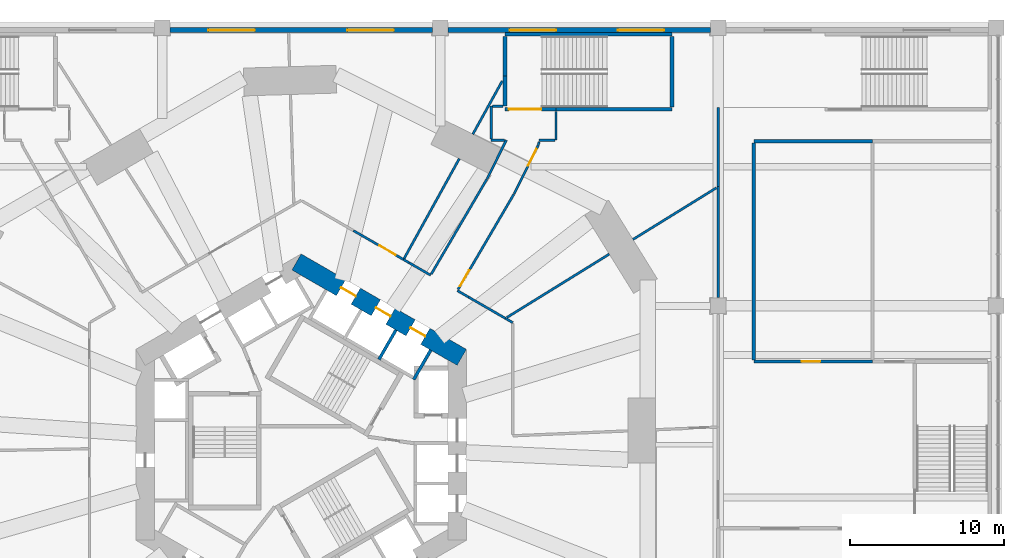
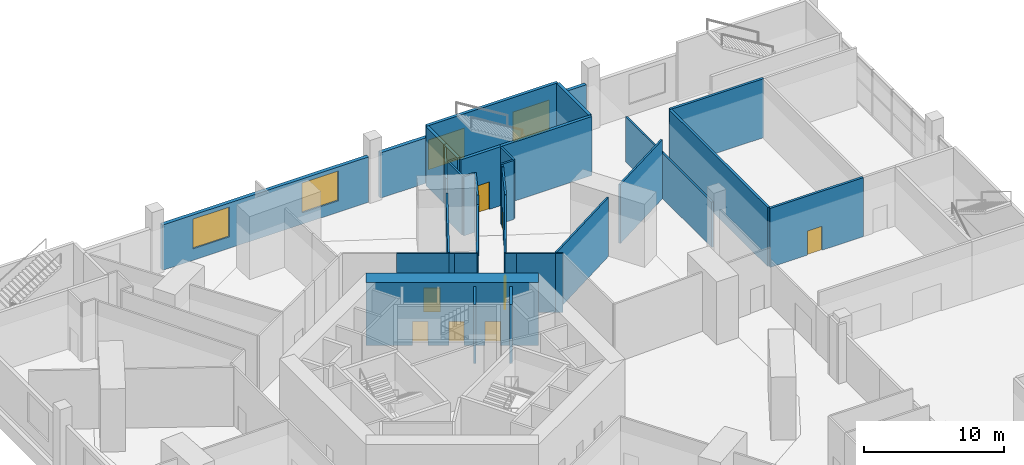
# One storey, part 9 of 16: 36 walls, 8 doors, 4 windows, 12 openings.
"""IFC4 building model written with IfcOpenShell, lengths in metres."""

from ifc_helpers import new_model, si_unit, direction, frame, frame_2d, origin, place, context, subcontext, project, spatial, rectangle, extrude, material, layer, layer_set, type_object, element, fill, save


model = new_model("IFC4")

# Units and contexts
model_context = context("Model", 3, precision=1e-05, world=origin(), true_north=direction((0.0, 1.0)))
body_context = subcontext(model_context, "Body", "Model", "MODEL_VIEW")
ifc_project = project(units=[si_unit("LENGTHUNIT", "METRE"), si_unit("AREAUNIT", "SQUARE_METRE"), si_unit("VOLUMEUNIT", "CUBIC_METRE"), si_unit("PLANEANGLEUNIT", "RADIAN"), si_unit("MASSUNIT", "GRAM", prefix="KILO")], contexts=[model_context])

# Site, building, storey
site_placement = place(None, origin())
site = spatial("IfcSite", under=ifc_project, at=site_placement, CompositionType="ELEMENT")
building_placement = place(site_placement, origin())
building = spatial("IfcBuilding", under=site, at=building_placement, Name="Vanh Sen Convention Tower", CompositionType="ELEMENT")
storey_placement = place(building_placement, frame((0.0, 0.0, 29.0)))
storey = spatial("IfcBuildingStorey", under=building, at=storey_placement, Name="L04", CompositionType="ELEMENT", Elevation=29.0)

# Wall, opening, door
ifc_material_1 = material(Name="Concrete C40/50", Category="concrete")
ifc_layer_1 = layer(ifc_material_1, 0.25)
ifc_layer_set_1 = layer_set([ifc_layer_1], Name="Concrete C40/50")
wall_type_1 = type_object("IfcWallType", Name="Concrete wall 250 REI 180", PredefinedType="SOLIDWALL", material=ifc_layer_set_1)
wall_1_placement = place(storey_placement, frame((16.5, 21.72509765625, 0.0), z_axis=(0.0, 0.0, 1.0), x_axis=(-1.0, 0.0, 0.0)))
wall_1 = element("IfcWall", 1, at=wall_1_placement, inside=storey, type_object=wall_type_1, Name="Fire-resisting wall L04-108", PredefinedType="SOLIDWALL", context=body_context, shape_type="SweptSolid", body=[
    extrude(rectangle(XDim=3.300048828125, YDim=0.25, at=frame_2d((1.64990234375, 0.0))), origin(), (0.0, 0.0, 1.0), 5.14990234375),
])
opening_1_placement = place(wall_1_placement, frame((0.949951171875, 0.0, 0.0)))
opening_1 = element("IfcOpeningElement", 2, at=opening_1_placement, cuts=wall_1, Name="Opening D04125", PredefinedType="OPENING", context=body_context, shape_type="SweptSolid", body=[
    extrude(rectangle(XDim=2.10009765625, YDim=2.39990234375, at=frame_2d((1.050048828125, 1.199951171875))), frame((0.0, 0.135009765625, 0.0), z_axis=(0.0, -1.0, 0.0), x_axis=(1.0, 0.0, 0.0)), (0.0, 0.0, 1.0), 0.27001953125),
])
ifc_material_2 = material(Name="Steel S355", Category="steel")
door_type_1 = type_object("IfcDoorType", Name="Stair door 2100 EI 60", OperationType="DOUBLE_DOOR_SINGLE_SWING", PredefinedType="DOOR", material=ifc_material_2)
door_1_placement = place(opening_1_placement, frame((2.10009765625, 0.0, 0.0), z_axis=(0.0, 0.0, 1.0), x_axis=(-1.0, 0.0, 0.0)))
door_1 = element("IfcDoor", 3, at=door_1_placement, inside=storey, type_object=door_type_1, Name="Stair door D04125", OperationType="DOUBLE_DOOR_SINGLE_SWING", OverallHeight=2.39990234375, OverallWidth=2.10009765625, PredefinedType="DOOR", context=body_context, shape_type="SweptSolid", body=[
    extrude(rectangle(XDim=2.10009765625, YDim=2.39990234375, at=frame_2d((1.050048828125, 1.199951171875))), frame((0.0, 0.02490234375, 0.0), z_axis=(0.0, -1.0, 0.0), x_axis=(1.0, 0.0, 0.0)), (0.0, 0.0, 1.0), 0.050048828125),
])
fill(opening_1, door_1)

# Walls
wall_2_placement = place(storey_placement, frame((24.0, 21.72509765625, 0.0), z_axis=(0.0, 0.0, 1.0), x_axis=(-1.0, 0.0, 0.0)))
element("IfcWall", 4, at=wall_2_placement, inside=storey, type_object=wall_type_1, Name="Fire-resisting wall L04-109", PredefinedType="SOLIDWALL", context=body_context, shape_type="SweptSolid", body=[
    extrude(rectangle(XDim=7.5, YDim=0.25, at=frame_2d((3.75, 0.0))), origin(), (0.0, 0.0, 1.0), 5.14990234375),
])
wall_3_placement = place(storey_placement, frame((13.199951171875, 21.925048828125, 0.0), z_axis=(0.0, 0.0, 1.0), x_axis=(0.0, 1.0, 0.0)))
element("IfcWall", 5, at=wall_3_placement, inside=storey, type_object=wall_type_1, Name="Fire-resisting wall L04-114", PredefinedType="SOLIDWALL", context=body_context, shape_type="SweptSolid", body=[
    extrude(rectangle(XDim=1.953369140625, YDim=0.25, at=frame_2d((0.9765625, 0.0))), origin(), (0.0, 0.0, 1.0), 5.14990234375),
])
wall_4_placement = place(storey_placement, frame((13.199951171875, 23.87841796875, 0.0), z_axis=(0.0, 0.0, 1.0), x_axis=(0.0, 1.0, 0.0)))
element("IfcWall", 6, at=wall_4_placement, inside=storey, type_object=wall_type_1, Name="Fire-resisting wall L04-115", PredefinedType="SOLIDWALL", context=body_context, shape_type="SweptSolid", body=[
    extrude(rectangle(XDim=2.5615234375, YDim=0.25, at=frame_2d((1.28076171875, 0.0))), origin(), (0.0, 0.0, 1.0), 5.14990234375),
])
wall_5_placement = place(storey_placement, frame((24.0, 26.43994140625, 0.0), z_axis=(0.0, 0.0, 1.0), x_axis=(0.0, -1.0, 0.0)))
element("IfcWall", 7, at=wall_5_placement, inside=storey, type_object=wall_type_1, Name="Fire-resisting wall L04-119", PredefinedType="SOLIDWALL", context=body_context, shape_type="SweptSolid", body=[
    extrude(rectangle(XDim=4.574951171875, YDim=0.25, at=frame_2d((2.28759765625, 0.0))), origin(), (0.0, 0.0, 1.0), 5.14990234375),
])
wall_6_placement = place(storey_placement, frame((24.0, 26.574951171875, 0.0), z_axis=(0.0, 0.0, 1.0), x_axis=(-1.0, 0.0, 0.0)))
element("IfcWall", 8, at=wall_6_placement, inside=storey, type_object=wall_type_1, Name="Stair enclosure wall PS4 L04", PredefinedType="SOLIDWALL", context=body_context, shape_type="SweptSolid", body=[
    extrude(rectangle(XDim=10.800048828125, YDim=0.25, at=frame_2d((5.39990234375, 0.0))), origin(), (0.0, 0.0, 1.0), 5.14990234375),
])

# Wall, openings, doors
ifc_material_3 = material(Name="Concrete C80/95", Category="concrete")
ifc_layer_2 = layer(ifc_material_3, 1.199951171875)
ifc_layer_set_2 = layer_set([ifc_layer_2], Name="Concrete C80/95")
wall_type_2 = type_object("IfcWallType", Name="Core outer wall 1200 C80/95", PredefinedType="SHEAR", material=ifc_layer_set_2)
wall_7_placement = place(storey_placement, frame((10.39990234375, 5.657958984375, 0.0), z_axis=(0.0, 0.0, 1.0), x_axis=(-0.866021384402, 0.500006961711, 0.0)))
wall_7 = element("IfcWall", 9, at=wall_7_placement, inside=storey, type_object=wall_type_2, Name="Core wall face NE L04", PredefinedType="SHEAR", context=body_context, shape_type="SweptSolid", body=[
    extrude(rectangle(XDim=12.355224609375, YDim=1.199951171875, at=frame_2d((6.177734375, 0.0))), origin(), (0.0, 0.0, 1.0), 5.5),
])
opening_2_placement = place(wall_7_placement, frame((2.727783203125, 0.0, 0.0)))
opening_2 = element("IfcOpeningElement", 10, at=opening_2_placement, cuts=wall_7, Name="Opening LD-LR3", PredefinedType="OPENING", context=body_context, shape_type="SweptSolid", body=[
    extrude(rectangle(XDim=1.10009765625, YDim=2.10009765625, at=frame_2d((0.550048828125, 1.050048828125))), frame((0.0, 0.60986328125, 0.0), z_axis=(0.0, -1.0, 0.0), x_axis=(1.0, 0.0, 0.0)), (0.0, 0.0, 1.0), 1.219970703125),
])
opening_3_placement = place(wall_7_placement, frame((5.32763671875, 0.0, 0.0)))
opening_3 = element("IfcOpeningElement", 11, at=opening_3_placement, cuts=wall_7, Name="Opening LD-LR4", PredefinedType="OPENING", context=body_context, shape_type="SweptSolid", body=[
    extrude(rectangle(XDim=1.10009765625, YDim=2.10009765625, at=frame_2d((0.550048828125, 1.050048828125))), frame((0.0, 0.60986328125, 0.0), z_axis=(0.0, -1.0, 0.0), x_axis=(1.0, 0.0, 0.0)), (0.0, 0.0, 1.0), 1.219970703125),
])
opening_4_placement = place(wall_7_placement, frame((7.927734375, 0.0, 0.0)))
opening_4 = element("IfcOpeningElement", 12, at=opening_4_placement, cuts=wall_7, Name="Opening LD-LR5", PredefinedType="OPENING", context=body_context, shape_type="SweptSolid", body=[
    extrude(rectangle(XDim=1.10009765625, YDim=2.10009765625, at=frame_2d((0.550048828125, 1.050048828125))), frame((0.0, 0.60986328125, 0.0), z_axis=(0.0, -1.0, 0.0), x_axis=(1.0, 0.0, 0.0)), (0.0, 0.0, 1.0), 1.219970703125),
])
ifc_material_4 = material(Name="Stainless steel", Category="steel")
door_type_2 = type_object("IfcDoorType", Name="Lift landing door 1100", OperationType="DOUBLE_DOOR_SLIDING", PredefinedType="DOOR", material=ifc_material_4)
door_2_placement = place(opening_2_placement, origin())
door_2 = element("IfcDoor", 13, at=door_2_placement, inside=storey, type_object=door_type_2, Name="Lift LR3 landing door LD-LR3", OperationType="DOUBLE_DOOR_SLIDING", OverallHeight=2.10009765625, OverallWidth=1.10009765625, PredefinedType="DOOR", context=body_context, shape_type="SweptSolid", body=[
    extrude(rectangle(XDim=1.10009765625, YDim=2.10009765625, at=frame_2d((0.550048828125, 1.050048828125))), frame((0.0, 0.02490234375, 0.0), z_axis=(0.0, -1.0, 0.0), x_axis=(1.0, 0.0, 0.0)), (0.0, 0.0, 1.0), 0.050048828125),
])
fill(opening_2, door_2)
door_3_placement = place(opening_3_placement, origin())
door_3 = element("IfcDoor", 14, at=door_3_placement, inside=storey, type_object=door_type_2, Name="Lift LR4 landing door LD-LR4", OperationType="DOUBLE_DOOR_SLIDING", OverallHeight=2.10009765625, OverallWidth=1.10009765625, PredefinedType="DOOR", context=body_context, shape_type="SweptSolid", body=[
    extrude(rectangle(XDim=1.10009765625, YDim=2.10009765625, at=frame_2d((0.550048828125, 1.050048828125))), frame((0.0, 0.02490234375, 0.0), z_axis=(0.0, -1.0, 0.0), x_axis=(1.0, 0.0, 0.0)), (0.0, 0.0, 1.0), 0.050048828125),
])
fill(opening_3, door_3)
door_4_placement = place(opening_4_placement, origin())
door_4 = element("IfcDoor", 15, at=door_4_placement, inside=storey, type_object=door_type_2, Name="Lift LR5 landing door LD-LR5", OperationType="DOUBLE_DOOR_SLIDING", OverallHeight=2.10009765625, OverallWidth=1.10009765625, PredefinedType="DOOR", context=body_context, shape_type="SweptSolid", body=[
    extrude(rectangle(XDim=1.10009765625, YDim=2.10009765625, at=frame_2d((0.550048828125, 1.050048828125))), frame((0.0, 0.02490234375, 0.0), z_axis=(0.0, -1.0, 0.0), x_axis=(1.0, 0.0, 0.0)), (0.0, 0.0, 1.0), 0.050048828125),
])
fill(opening_4, door_4)

# Walls
ifc_layer_3 = layer(ifc_material_1, 0.199951171875)
ifc_layer_set_3 = layer_set([ifc_layer_3], Name="Concrete C40/50")
wall_type_3 = type_object("IfcWallType", Name="Lift shaft wall 200", PredefinedType="PARTITIONING", material=ifc_layer_set_3)
for number, where, z_axis, x_axis, name in (
    (16, (7.287353515625, 4.221923828125, 0.0), (0.0, 0.0, 1.0), (0.499946605688, 0.86605622881, 0.0), "Lift shaft wall L04"),
    (17, (5.03564453125, 5.52197265625, 0.0), (0.0, 0.0, 1.0), (0.499946605688, 0.86605622881, 0.0), "Lift shaft wall L04"),
):
    element("IfcWall", number, at=place(storey_placement, frame(where, z_axis=z_axis, x_axis=x_axis)), inside=storey, type_object=wall_type_3, Name=name, PredefinedType="PARTITIONING", context=body_context, shape_type="SweptSolid", body=[
        extrude(rectangle(XDim=2.199951171875, YDim=0.199951171875, at=frame_2d((1.10009765625, 0.0))), origin(), (0.0, 0.0, 1.0), 5.14990234375),
    ])
ifc_material_5 = material(Name="Acoustic operable panels on an overhead track", Category="gypsum")
ifc_layer_4 = layer(ifc_material_5, 0.14990234375)
ifc_layer_set_4 = layer_set([ifc_layer_4], Name="Acoustic operable panels on an overhead track")
wall_type_4 = type_object("IfcWallType", Name="Operable partition 150 EI 60", PredefinedType="MOVABLE", material=ifc_layer_set_4)
wall_8_placement = place(storey_placement, frame((19.948974609375, 12.344970703125, 0.0), z_axis=(0.0, 0.0, 1.0), x_axis=(-0.850341306025, -0.526231568102, 0.0)))
element("IfcWall", 18, at=wall_8_placement, inside=storey, type_object=wall_type_4, Name="Operable partition L04-077", PredefinedType="MOVABLE", context=body_context, shape_type="SweptSolid", body=[
    extrude(rectangle(XDim=7.787353515625, YDim=0.14990234375, at=frame_2d((3.8935546875, 0.0))), origin(), (0.0, 0.0, 1.0), 5.14990234375),
])
ifc_material_6 = material(Name="Gypsum board on steel studs", Category="steel")
ifc_layer_5 = layer(ifc_material_6, 0.14990234375)
ifc_layer_set_5 = layer_set([ifc_layer_5], Name="Gypsum board on steel studs")
wall_type_5 = type_object("IfcWallType", Name="Partition 150 EI 60", PredefinedType="PARTITIONING", material=ifc_layer_set_5)
wall_9_placement = place(storey_placement, frame((13.699951171875, 7.909423828125, 0.0), z_axis=(0.0, 0.0, 1.0), x_axis=(-0.865629350875, 0.50068535719, 0.0)))
element("IfcWall", 19, at=wall_9_placement, inside=storey, type_object=wall_type_5, Name="Partition L04-062", PredefinedType="PARTITIONING", context=body_context, shape_type="SweptSolid", body=[
    extrude(rectangle(XDim=0.548583984375, YDim=0.14990234375, at=frame_2d((0.2744140625, 0.0))), origin(), (0.0, 0.0, 1.0), 5.14990234375),
])
wall_10_placement = place(storey_placement, frame((27.0, 9.550048828125, 0.0), z_axis=(0.0, 0.0, 1.0), x_axis=(0.0, 1.0, 0.0)))
element("IfcWall", 20, at=wall_10_placement, inside=storey, type_object=wall_type_5, Name="Partition L04-065", PredefinedType="PARTITIONING", context=body_context, shape_type="SweptSolid", body=[
    extrude(rectangle(XDim=7.157958984375, YDim=0.14990234375, at=frame_2d((3.5791015625, 0.0))), origin(), (0.0, 0.0, 1.0), 3.949951171875),
])
wall_11_placement = place(storey_placement, frame((10.83349609375, 9.564453125, 0.0), z_axis=(0.0, 0.0, 1.0), x_axis=(0.866091368387, -0.499885728548, 0.0)))
element("IfcWall", 21, at=wall_11_placement, inside=storey, type_object=wall_type_5, Name="Partition L04-066", PredefinedType="PARTITIONING", context=body_context, shape_type="SweptSolid", body=[
    extrude(rectangle(XDim=2.761474609375, YDim=0.14990234375, at=frame_2d((1.380859375, 0.0))), origin(), (0.0, 0.0, 1.0), 5.14990234375),
])
wall_12_placement = place(storey_placement, frame((10.113525390625, 9.98046875, 0.0), z_axis=(0.0, 0.0, 1.0), x_axis=(0.865848115047, -0.500306947453, 0.0)))
element("IfcWall", 22, at=wall_12_placement, inside=storey, type_object=wall_type_5, Name="Partition L04-068", PredefinedType="PARTITIONING", context=body_context, shape_type="SweptSolid", body=[
    extrude(rectangle(XDim=0.83154296875, YDim=0.14990234375, at=frame_2d((0.415771484375, 0.0))), origin(), (0.0, 0.0, 1.0), 5.14990234375),
])
wall_13_placement = place(storey_placement, frame((8.421875, 11.049560546875, 0.0), z_axis=(0.0, 0.0, 1.0), x_axis=(0.50561651199, 0.862758333952, 0.0)))
element("IfcWall", 23, at=wall_13_placement, inside=storey, type_object=wall_type_5, Name="Partition L04-069", PredefinedType="PARTITIONING", context=body_context, shape_type="SweptSolid", body=[
    extrude(rectangle(XDim=7.1181640625, YDim=0.14990234375, at=frame_2d((3.55908203125, 0.0))), origin(), (0.0, 0.0, 1.0), 4.35009765625),
])
wall_14_placement = place(storey_placement, frame((6.9951171875, 11.78076171875, 0.0), z_axis=(0.0, 0.0, 1.0), x_axis=(0.866076391369, -0.499911676512, 0.0)))
element("IfcWall", 24, at=wall_14_placement, inside=storey, type_object=wall_type_5, Name="Partition L04-072", PredefinedType="PARTITIONING", context=body_context, shape_type="SweptSolid", body=[
    extrude(rectangle(XDim=1.600830078125, YDim=0.14990234375, at=frame_2d((0.80029296875, 0.0))), origin(), (0.0, 0.0, 1.0), 5.14990234375),
])
wall_15_placement = place(storey_placement, frame((6.9951171875, 11.78076171875, 0.0), z_axis=(0.0, 0.0, 1.0), x_axis=(-0.866281716711, 0.49955578997, 0.0)))
element("IfcWall", 25, at=wall_15_placement, inside=storey, type_object=wall_type_5, Name="Partition L04-073", PredefinedType="PARTITIONING", context=body_context, shape_type="SweptSolid", body=[
    extrude(rectangle(XDim=0.4228515625, YDim=0.14990234375, at=frame_2d((0.21142578125, 0.0))), origin(), (0.0, 0.0, 1.0), 5.14990234375),
])

# Wall, opening, door
wall_16_placement = place(storey_placement, frame((6.62890625, 11.991943359375, 0.0), z_axis=(0.0, 0.0, 1.0), x_axis=(-0.86599558016, 0.500051652475, 0.0)))
wall_16 = element("IfcWall", 26, at=wall_16_placement, inside=storey, type_object=wall_type_5, Name="Partition L04-075", PredefinedType="PARTITIONING", context=body_context, shape_type="SweptSolid", body=[
    extrude(rectangle(XDim=3.74462890625, YDim=0.14990234375, at=frame_2d((1.872314453125, 0.0))), origin(), (0.0, 0.0, 1.0), 5.14990234375),
])
opening_5_placement = place(wall_16_placement, frame((0.60009765625, 0.0, 0.0)))
opening_5 = element("IfcOpeningElement", 27, at=opening_5_placement, cuts=wall_16, Name="Opening D04120", PredefinedType="OPENING", context=body_context, shape_type="SweptSolid", body=[
    extrude(rectangle(XDim=1.199951171875, YDim=2.10009765625, at=frame_2d((0.60009765625, 1.050048828125))), frame((0.0, 0.0849609375, 0.0), z_axis=(0.0, -1.0, 0.0), x_axis=(1.0, 0.0, 0.0)), (0.0, 0.0, 1.0), 0.169921875),
])
ifc_material_7 = material(Name="Timber door in steel frame", Category="steel")
door_type_3 = type_object("IfcDoorType", Name="Room door 1200 EI 30", OperationType="SINGLE_SWING_LEFT", PredefinedType="DOOR", material=ifc_material_7)
door_5_placement = place(opening_5_placement, origin())
door_5 = element("IfcDoor", 28, at=door_5_placement, inside=storey, type_object=door_type_3, Name="Room door D04120", OperationType="SINGLE_SWING_LEFT", OverallHeight=2.10009765625, OverallWidth=1.199951171875, PredefinedType="DOOR", context=body_context, shape_type="SweptSolid", body=[
    extrude(rectangle(XDim=1.199951171875, YDim=2.10009765625, at=frame_2d((0.60009765625, 1.050048828125))), frame((0.0, 0.02490234375, 0.0), z_axis=(0.0, -1.0, 0.0), x_axis=(1.0, 0.0, 0.0)), (0.0, 0.0, 1.0), 0.050048828125),
])
fill(opening_5, door_5)

# Walls
wall_17_placement = place(storey_placement, frame((6.667724609375, 12.06201171875, 0.0), z_axis=(0.0, 0.0, 1.0), x_axis=(0.483795376692, 0.875181143245, 0.0)))
element("IfcWall", 29, at=wall_17_placement, inside=storey, type_object=wall_type_5, Name="Partition L04-076", PredefinedType="PARTITIONING", context=body_context, shape_type="SweptSolid", body=[
    extrude(rectangle(XDim=7.386962890625, YDim=0.14990234375, at=frame_2d((3.693359375, 0.0))), origin(), (0.0, 0.0, 1.0), 5.14990234375),
])
wall_18_placement = place(storey_placement, frame((21.4794921875, 13.2919921875, 0.0), z_axis=(0.0, 0.0, 1.0), x_axis=(0.850365065786, 0.5261931726, 0.0)))
element("IfcWall", 30, at=wall_18_placement, inside=storey, type_object=wall_type_5, Name="Partition L04-078", PredefinedType="PARTITIONING", context=body_context, shape_type="SweptSolid", body=[
    extrude(rectangle(XDim=6.351806640625, YDim=0.14990234375, at=frame_2d((3.17578125, 0.0))), origin(), (0.0, 0.0, 1.0), 5.14990234375),
])

# Wall, opening, door
wall_19_placement = place(storey_placement, frame((13.77197265625, 16.22412109375, 0.0), z_axis=(0.0, 0.0, 1.0), x_axis=(-0.505547889018, -0.862798546539, 0.0)))
wall_19 = element("IfcWall", 31, at=wall_19_placement, inside=storey, type_object=wall_type_5, Name="Partition L04-084", PredefinedType="PARTITIONING", context=body_context, shape_type="SweptSolid", body=[
    extrude(rectangle(XDim=7.156494140625, YDim=0.14990234375, at=frame_2d((3.578125, 0.0))), origin(), (0.0, 0.0, 1.0), 5.14990234375),
])
opening_6_placement = place(wall_19_placement, frame((5.706298828125, 0.0, 0.0)))
opening_6 = element("IfcOpeningElement", 32, at=opening_6_placement, cuts=wall_19, Name="Opening D04121", PredefinedType="OPENING", context=body_context, shape_type="SweptSolid", body=[
    extrude(rectangle(XDim=1.199951171875, YDim=2.10009765625, at=frame_2d((0.60009765625, 1.050048828125))), frame((0.0, 0.0849609375, 0.0), z_axis=(0.0, -1.0, 0.0), x_axis=(1.0, 0.0, 0.0)), (0.0, 0.0, 1.0), 0.169921875),
])
door_6_placement = place(opening_6_placement, origin())
door_6 = element("IfcDoor", 33, at=door_6_placement, inside=storey, type_object=door_type_3, Name="Room door D04121", OperationType="SINGLE_SWING_LEFT", OverallHeight=2.10009765625, OverallWidth=1.199951171875, PredefinedType="DOOR", context=body_context, shape_type="SweptSolid", body=[
    extrude(rectangle(XDim=1.199951171875, YDim=2.10009765625, at=frame_2d((0.60009765625, 1.050048828125))), frame((0.0, 0.02490234375, 0.0), z_axis=(0.0, -1.0, 0.0), x_axis=(1.0, 0.0, 0.0)), (0.0, 0.0, 1.0), 0.050048828125),
])
fill(opening_6, door_6)

# Walls
wall_20_placement = place(storey_placement, frame((27.0, 16.7080078125, 0.0), z_axis=(0.0, 0.0, 1.0), x_axis=(0.0, 1.0, 0.0)))
element("IfcWall", 34, at=wall_20_placement, inside=storey, type_object=wall_type_5, Name="Partition L04-085", PredefinedType="PARTITIONING", context=body_context, shape_type="SweptSolid", body=[
    extrude(rectangle(XDim=5.14208984375, YDim=0.14990234375, at=frame_2d((2.571044921875, 0.0))), origin(), (0.0, 0.0, 1.0), 3.949951171875),
])
wall_21_placement = place(storey_placement, frame((12.030029296875, 17.208984375, 0.0), z_axis=(0.0, 0.0, 1.0), x_axis=(0.445753790741, 0.89515560549, 0.0)))
element("IfcWall", 35, at=wall_21_placement, inside=storey, type_object=wall_type_5, Name="Partition L04-086", PredefinedType="PARTITIONING", context=body_context, shape_type="SweptSolid", body=[
    extrude(rectangle(XDim=2.810791015625, YDim=0.14990234375, at=frame_2d((1.4052734375, 0.0))), origin(), (0.0, 0.0, 1.0), 5.14990234375),
])

# Wall, opening, door
wall_22_placement = place(storey_placement, frame((15.338134765625, 19.364990234375, 0.0), z_axis=(0.0, 0.0, 1.0), x_axis=(-0.44583629063, -0.895114518906, 0.0)))
wall_22 = element("IfcWall", 36, at=wall_22_placement, inside=storey, type_object=wall_type_5, Name="Partition L04-090", PredefinedType="PARTITIONING", context=body_context, shape_type="SweptSolid", body=[
    extrude(rectangle(XDim=3.4755859375, YDim=0.14990234375, at=frame_2d((1.73779296875, 0.0))), origin(), (0.0, 0.0, 1.0), 5.14990234375),
])
opening_7_placement = place(wall_22_placement, frame((0.25, 0.0, 0.0)))
opening_7 = element("IfcOpeningElement", 37, at=opening_7_placement, cuts=wall_22, Name="Opening D04122", PredefinedType="OPENING", context=body_context, shape_type="SweptSolid", body=[
    extrude(rectangle(XDim=1.199951171875, YDim=2.10009765625, at=frame_2d((0.60009765625, 1.050048828125))), frame((0.0, 0.0849609375, 0.0), z_axis=(0.0, -1.0, 0.0), x_axis=(1.0, 0.0, 0.0)), (0.0, 0.0, 1.0), 0.169921875),
])
door_7_placement = place(opening_7_placement, origin())
door_7 = element("IfcDoor", 38, at=door_7_placement, inside=storey, type_object=door_type_3, Name="Room door D04122", OperationType="SINGLE_SWING_LEFT", OverallHeight=2.10009765625, OverallWidth=1.199951171875, PredefinedType="DOOR", context=body_context, shape_type="SweptSolid", body=[
    extrude(rectangle(XDim=1.199951171875, YDim=2.10009765625, at=frame_2d((0.60009765625, 1.050048828125))), frame((0.0, 0.02490234375, 0.0), z_axis=(0.0, -1.0, 0.0), x_axis=(1.0, 0.0, 0.0)), (0.0, 0.0, 1.0), 0.050048828125),
])
fill(opening_7, door_7)

# Walls
wall_23_placement = place(storey_placement, frame((15.39990234375, 19.60888671875, 0.0), z_axis=(0.0, 0.0, 1.0), x_axis=(-0.228393975948, -0.973568791484, 0.0)))
element("IfcWall", 39, at=wall_23_placement, inside=storey, type_object=wall_type_5, Name="Partition L04-094", PredefinedType="PARTITIONING", context=body_context, shape_type="SweptSolid", body=[
    extrude(rectangle(XDim=0.23193359375, YDim=0.14990234375, at=frame_2d((0.115966796875, 0.0))), origin(), (0.0, 0.0, 1.0), 5.14990234375),
])
wall_24_placement = place(storey_placement, frame((13.1630859375, 19.72509765625, 0.0), z_axis=(0.0, 0.0, 1.0), x_axis=(-1.0, 0.0, 0.0)))
element("IfcWall", 40, at=wall_24_placement, inside=storey, type_object=wall_type_5, Name="Partition L04-100", PredefinedType="PARTITIONING", context=body_context, shape_type="SweptSolid", body=[
    extrude(rectangle(XDim=0.863037109375, YDim=0.14990234375, at=frame_2d((0.431640625, 0.0))), origin(), (0.0, 0.0, 1.0), 5.14990234375),
])
wall_25_placement = place(storey_placement, frame((16.419921875, 19.72509765625, 0.0), z_axis=(0.0, 0.0, 1.0), x_axis=(-1.0, 0.0, 0.0)))
element("IfcWall", 41, at=wall_25_placement, inside=storey, type_object=wall_type_5, Name="Partition L04-101", PredefinedType="PARTITIONING", context=body_context, shape_type="SweptSolid", body=[
    extrude(rectangle(XDim=1.02001953125, YDim=0.14990234375, at=frame_2d((0.510009765625, 0.0))), origin(), (0.0, 0.0, 1.0), 5.14990234375),
])
wall_26_placement = place(storey_placement, frame((12.300048828125, 19.804931640625, 0.0), z_axis=(0.0, 0.0, 1.0), x_axis=(0.0, 1.0, 0.0)))
element("IfcWall", 42, at=wall_26_placement, inside=storey, type_object=wall_type_5, Name="Partition L04-103", PredefinedType="PARTITIONING", context=body_context, shape_type="SweptSolid", body=[
    extrude(rectangle(XDim=2.1201171875, YDim=0.14990234375, at=frame_2d((1.06005859375, 0.0))), origin(), (0.0, 0.0, 1.0), 5.14990234375),
])
wall_27_placement = place(storey_placement, frame((11.113037109375, 20.103515625, 0.0), z_axis=(0.0, 0.0, 1.0), x_axis=(0.483823742959, 0.875165461927, 0.0)))
element("IfcWall", 43, at=wall_27_placement, inside=storey, type_object=wall_type_5, Name="Partition L04-104", PredefinedType="PARTITIONING", context=body_context, shape_type="SweptSolid", body=[
    extrude(rectangle(XDim=3.933349609375, YDim=0.14990234375, at=frame_2d((1.966796875, 0.0))), origin(), (0.0, 0.0, 1.0), 5.14990234375),
])
wall_28_placement = place(storey_placement, frame((16.5, 21.5849609375, 0.0), z_axis=(0.0, 0.0, 1.0), x_axis=(0.0, -1.0, 0.0)))
element("IfcWall", 44, at=wall_28_placement, inside=storey, type_object=wall_type_5, Name="Partition L04-105", PredefinedType="PARTITIONING", context=body_context, shape_type="SweptSolid", body=[
    extrude(rectangle(XDim=1.85986328125, YDim=0.14990234375, at=frame_2d((0.929931640625, 0.0))), origin(), (0.0, 0.0, 1.0), 5.14990234375),
])
wall_29_placement = place(storey_placement, frame((12.3798828125, 21.925048828125, 0.0), z_axis=(0.0, 0.0, 1.0), x_axis=(1.0, 0.0, 0.0)))
element("IfcWall", 45, at=wall_29_placement, inside=storey, type_object=wall_type_5, Name="Partition L04-113", PredefinedType="PARTITIONING", context=body_context, shape_type="SweptSolid", body=[
    extrude(rectangle(XDim=0.68017578125, YDim=0.14990234375, at=frame_2d((0.340087890625, 0.0))), origin(), (0.0, 0.0, 1.0), 5.14990234375),
])

# Wall, opening, door
ifc_material_8 = material(Name="Concrete C20/25", Category="concrete")
ifc_layer_6 = layer(ifc_material_8, 0.199951171875)
ifc_layer_set_6 = layer_set([ifc_layer_6], Name="Concrete C20/25")
wall_type_6 = type_object("IfcWallType", Name="Partition 200 EI 120", PredefinedType="PARTITIONING", material=ifc_layer_set_6)
wall_30_placement = place(storey_placement, frame((29.300048828125, 5.39990234375, 0.0), z_axis=(0.0, 0.0, 1.0), x_axis=(1.0, 0.0, 0.0)))
wall_30 = element("IfcWall", 46, at=wall_30_placement, inside=storey, type_object=wall_type_6, Name="Partition L04-056", PredefinedType="PARTITIONING", context=body_context, shape_type="SweptSolid", body=[
    extrude(rectangle(XDim=7.699951171875, YDim=0.199951171875, at=frame_2d((3.85009765625, 0.0))), origin(), (0.0, 0.0, 1.0), 5.14990234375),
])
opening_8_placement = place(wall_30_placement, frame((3.10009765625, 0.0, 0.0)))
opening_8 = element("IfcOpeningElement", 47, at=opening_8_placement, cuts=wall_30, Name="Opening D04117", PredefinedType="OPENING", context=body_context, shape_type="SweptSolid", body=[
    extrude(rectangle(XDim=1.199951171875, YDim=2.10009765625, at=frame_2d((0.60009765625, 1.050048828125))), frame((0.0, 0.10986328125, 0.0), z_axis=(0.0, -1.0, 0.0), x_axis=(1.0, 0.0, 0.0)), (0.0, 0.0, 1.0), 0.219970703125),
])
door_type_4 = type_object("IfcDoorType", Name="Room door 1200 EI 60", OperationType="SINGLE_SWING_LEFT", PredefinedType="DOOR", material=ifc_material_7)
door_8_placement = place(opening_8_placement, origin())
door_8 = element("IfcDoor", 48, at=door_8_placement, inside=storey, type_object=door_type_4, Name="Room door D04117", OperationType="SINGLE_SWING_LEFT", OverallHeight=2.10009765625, OverallWidth=1.199951171875, PredefinedType="DOOR", context=body_context, shape_type="SweptSolid", body=[
    extrude(rectangle(XDim=1.199951171875, YDim=2.10009765625, at=frame_2d((0.60009765625, 1.050048828125))), frame((0.0, 0.02490234375, 0.0), z_axis=(0.0, -1.0, 0.0), x_axis=(1.0, 0.0, 0.0)), (0.0, 0.0, 1.0), 0.050048828125),
])
fill(opening_8, door_8)

# Walls
wall_31_placement = place(storey_placement, frame((29.300048828125, 19.550048828125, 0.0), z_axis=(0.0, 0.0, 1.0), x_axis=(0.0, -1.0, 0.0)))
element("IfcWall", 49, at=wall_31_placement, inside=storey, type_object=wall_type_6, Name="Partition L04-092", PredefinedType="PARTITIONING", context=body_context, shape_type="SweptSolid", body=[
    extrude(rectangle(XDim=14.050048828125, YDim=0.199951171875, at=frame_2d((7.02490234375, 0.0))), origin(), (0.0, 0.0, 1.0), 5.14990234375),
])
wall_32_placement = place(storey_placement, frame((37.0, 19.64990234375, 0.0), z_axis=(0.0, 0.0, 1.0), x_axis=(-1.0, 0.0, 0.0)))
element("IfcWall", 50, at=wall_32_placement, inside=storey, type_object=wall_type_6, Name="Partition L04-096", PredefinedType="PARTITIONING", context=body_context, shape_type="SweptSolid", body=[
    extrude(rectangle(XDim=7.699951171875, YDim=0.199951171875, at=frame_2d((3.85009765625, 0.0))), origin(), (0.0, 0.0, 1.0), 5.14990234375),
])

# Wall, openings, windows
ifc_material_9 = material(Name="Concrete C50/60", Category="concrete")
ifc_layer_7 = layer(ifc_material_9, 0.300048828125)
ifc_layer_set_7 = layer_set([ifc_layer_7], Name="Concrete C50/60")
wall_type_7 = type_object("IfcWallType", Name="Podium wall 300", PredefinedType="STANDARD", material=ifc_layer_set_7)
wall_33_placement = place(storey_placement, frame((26.5, 26.85009765625, 0.0), z_axis=(0.0, 0.0, 1.0), x_axis=(-1.0, 0.0, 0.0)))
wall_33 = element("IfcWall", 51, at=wall_33_placement, inside=storey, type_object=wall_type_7, Name="Podium wall N2 L04", PredefinedType="STANDARD", context=body_context, shape_type="SweptSolid", body=[
    extrude(rectangle(XDim=17.0, YDim=0.300048828125, at=frame_2d((8.5, 0.0))), origin(), (0.0, 0.0, 1.0), 3.949951171875),
])
opening_9_placement = place(wall_33_placement, frame((3.0, 0.0, 1.0)))
opening_9 = element("IfcOpeningElement", 52, at=opening_9_placement, cuts=wall_33, Name="Opening WP2-N3", PredefinedType="OPENING", context=body_context, shape_type="SweptSolid", body=[
    extrude(rectangle(XDim=3.0, YDim=2.60009765625, at=frame_2d((1.5, 1.300048828125))), frame((0.0, 0.159912109375, 0.0), z_axis=(0.0, -1.0, 0.0), x_axis=(1.0, 0.0, 0.0)), (0.0, 0.0, 1.0), 0.320068359375),
])
opening_10_placement = place(wall_33_placement, frame((10.0, 0.0, 1.0)))
opening_10 = element("IfcOpeningElement", 53, at=opening_10_placement, cuts=wall_33, Name="Opening WP2-N4", PredefinedType="OPENING", context=body_context, shape_type="SweptSolid", body=[
    extrude(rectangle(XDim=3.0, YDim=2.60009765625, at=frame_2d((1.5, 1.300048828125))), frame((0.0, 0.159912109375, 0.0), z_axis=(0.0, -1.0, 0.0), x_axis=(1.0, 0.0, 0.0)), (0.0, 0.0, 1.0), 0.320068359375),
])
ifc_material_10 = material(Name="Aluminium frame with clear low-emissivity glass", Category="aluminium")
window_type = type_object("IfcWindowType", Name="Podium window 3000 x 2600", PartitioningType="SINGLE_PANEL", PredefinedType="WINDOW", material=ifc_material_10)
window_1_placement = place(opening_9_placement, origin())
window_1 = element("IfcWindow", 54, at=window_1_placement, inside=storey, type_object=window_type, Name="Window WP2-N3", OverallHeight=2.60009765625, OverallWidth=3.0, PartitioningType="SINGLE_PANEL", PredefinedType="WINDOW", context=body_context, shape_type="SweptSolid", body=[
    extrude(rectangle(XDim=3.0, YDim=2.60009765625, at=frame_2d((1.5, 1.300048828125))), frame((0.0, 0.030029296875, 0.0), z_axis=(0.0, -1.0, 0.0), x_axis=(1.0, 0.0, 0.0)), (0.0, 0.0, 1.0), 0.06005859375),
])
fill(opening_9, window_1)
window_2_placement = place(opening_10_placement, origin())
window_2 = element("IfcWindow", 55, at=window_2_placement, inside=storey, type_object=window_type, Name="Window WP2-N4", OverallHeight=2.60009765625, OverallWidth=3.0, PartitioningType="SINGLE_PANEL", PredefinedType="WINDOW", context=body_context, shape_type="SweptSolid", body=[
    extrude(rectangle(XDim=3.0, YDim=2.60009765625, at=frame_2d((1.5, 1.300048828125))), frame((0.0, 0.030029296875, 0.0), z_axis=(0.0, -1.0, 0.0), x_axis=(1.0, 0.0, 0.0)), (0.0, 0.0, 1.0), 0.06005859375),
])
fill(opening_10, window_2)

wall_34_placement = place(storey_placement, frame((8.5, 26.85009765625, 0.0), z_axis=(0.0, 0.0, 1.0), x_axis=(-1.0, 0.0, 0.0)))
wall_34 = element("IfcWall", 56, at=wall_34_placement, inside=storey, type_object=wall_type_7, Name="Podium wall N3 L04", PredefinedType="STANDARD", context=body_context, shape_type="SweptSolid", body=[
    extrude(rectangle(XDim=17.0, YDim=0.300048828125, at=frame_2d((8.5, 0.0))), origin(), (0.0, 0.0, 1.0), 3.949951171875),
])
opening_11_placement = place(wall_34_placement, frame((2.5, 0.0, 1.0)))
opening_11 = element("IfcOpeningElement", 57, at=opening_11_placement, cuts=wall_34, Name="Opening WP2-N5", PredefinedType="OPENING", context=body_context, shape_type="SweptSolid", body=[
    extrude(rectangle(XDim=3.0, YDim=2.60009765625, at=frame_2d((1.5, 1.300048828125))), frame((0.0, 0.159912109375, 0.0), z_axis=(0.0, -1.0, 0.0), x_axis=(1.0, 0.0, 0.0)), (0.0, 0.0, 1.0), 0.320068359375),
])
opening_12_placement = place(wall_34_placement, frame((11.5, 0.0, 1.0)))
opening_12 = element("IfcOpeningElement", 58, at=opening_12_placement, cuts=wall_34, Name="Opening WP2-N6", PredefinedType="OPENING", context=body_context, shape_type="SweptSolid", body=[
    extrude(rectangle(XDim=3.0, YDim=2.60009765625, at=frame_2d((1.5, 1.300048828125))), frame((0.0, 0.159912109375, 0.0), z_axis=(0.0, -1.0, 0.0), x_axis=(1.0, 0.0, 0.0)), (0.0, 0.0, 1.0), 0.320068359375),
])
window_3_placement = place(opening_11_placement, origin())
window_3 = element("IfcWindow", 59, at=window_3_placement, inside=storey, type_object=window_type, Name="Window WP2-N5", OverallHeight=2.60009765625, OverallWidth=3.0, PartitioningType="SINGLE_PANEL", PredefinedType="WINDOW", context=body_context, shape_type="SweptSolid", body=[
    extrude(rectangle(XDim=3.0, YDim=2.60009765625, at=frame_2d((1.5, 1.300048828125))), frame((0.0, 0.030029296875, 0.0), z_axis=(0.0, -1.0, 0.0), x_axis=(1.0, 0.0, 0.0)), (0.0, 0.0, 1.0), 0.06005859375),
])
fill(opening_11, window_3)
window_4_placement = place(opening_12_placement, origin())
window_4 = element("IfcWindow", 60, at=window_4_placement, inside=storey, type_object=window_type, Name="Window WP2-N6", OverallHeight=2.60009765625, OverallWidth=3.0, PartitioningType="SINGLE_PANEL", PredefinedType="WINDOW", context=body_context, shape_type="SweptSolid", body=[
    extrude(rectangle(XDim=3.0, YDim=2.60009765625, at=frame_2d((1.5, 1.300048828125))), frame((0.0, 0.030029296875, 0.0), z_axis=(0.0, -1.0, 0.0), x_axis=(1.0, 0.0, 0.0)), (0.0, 0.0, 1.0), 0.06005859375),
])
fill(opening_12, window_4)

save(model, "model.ifc")
